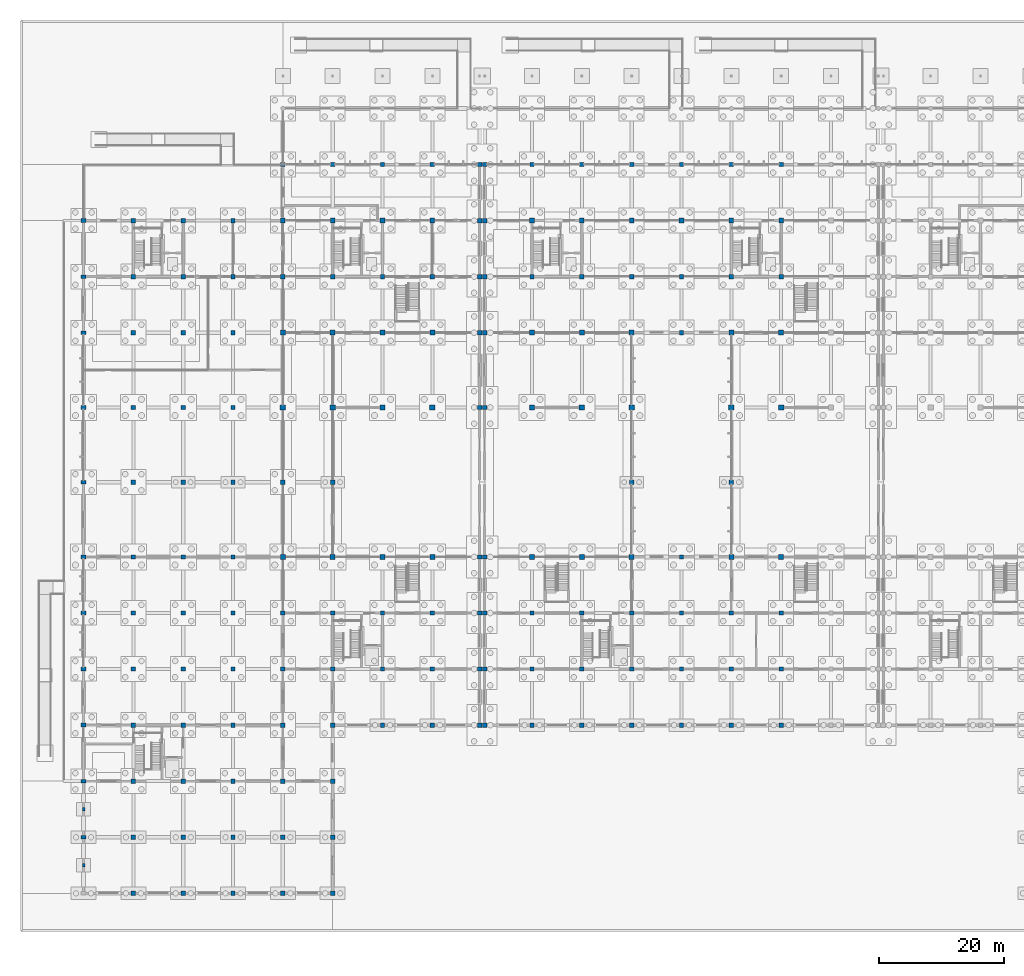
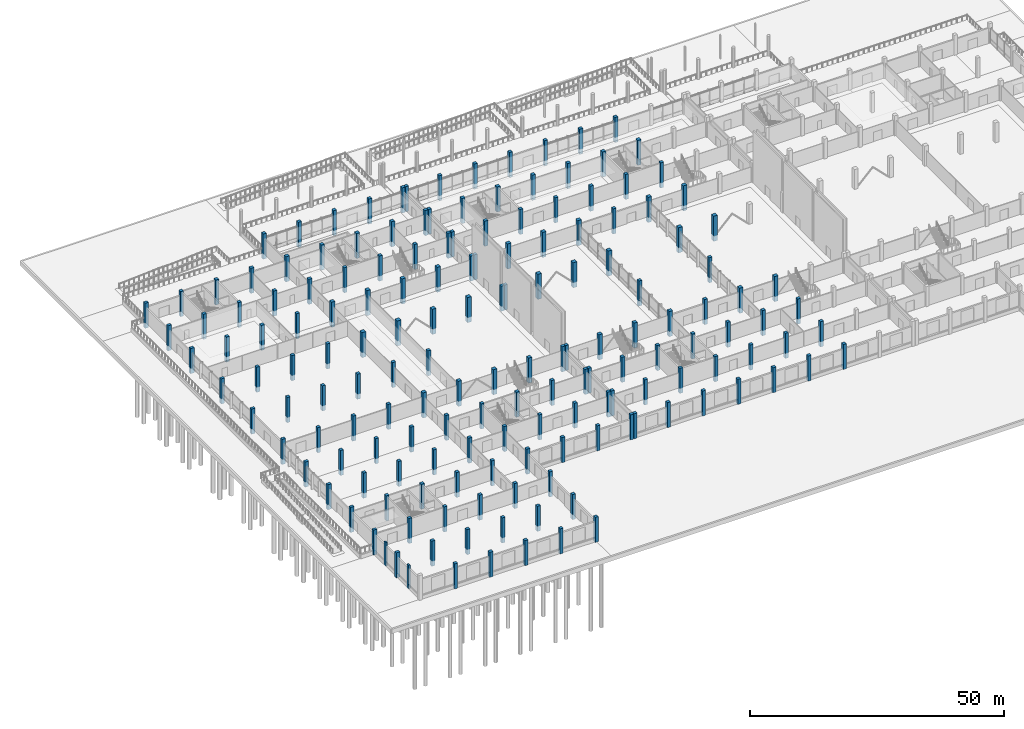
# One storey, part 13 of 72: 166 columns.
"""IFC4 building model written with IfcOpenShell, lengths in metres."""

from ifc_helpers import new_model, si_unit, direction, frame, origin, origin_2d, place, context, subcontext, project, spatial, rectangle, extrude, material, material_profile, profile_set, type_object, element, save


model = new_model("IFC4")

# Units and contexts
model_context = context("Model", 3, precision=1e-05, world=origin(), true_north=direction((0.0, 1.0)))
body_context = subcontext(model_context, "Body", "Model", "MODEL_VIEW")
ifc_project = project(units=[si_unit("LENGTHUNIT", "METRE"), si_unit("AREAUNIT", "SQUARE_METRE"), si_unit("VOLUMEUNIT", "CUBIC_METRE"), si_unit("PLANEANGLEUNIT", "RADIAN"), si_unit("MASSUNIT", "GRAM", prefix="KILO"), si_unit("THERMODYNAMICTEMPERATUREUNIT", "KELVIN"), si_unit("POWERUNIT", "WATT")], contexts=[model_context])

# Site, building, storey
site_placement = place(None, origin())
site = spatial("IfcSite", under=ifc_project, at=site_placement, CompositionType="ELEMENT")
building_placement = place(site_placement, origin())
building = spatial("IfcBuilding", under=site, at=building_placement, Name="Kronsvod Quay Wholesale Market", CompositionType="ELEMENT")
storey_placement = place(building_placement, origin())
storey = spatial("IfcBuildingStorey", under=building, at=storey_placement, Name="L00", CompositionType="ELEMENT", Elevation=0.0)

# Columns
ifc_material_1 = material(Name="Precast concrete C40/50", Category="concrete")
ifc_material_profile_1 = material_profile(ifc_material_1, rectangle(XDim=0.699951171875, YDim=0.699951171875, at=origin_2d()), Name="PCC700x700")
ifc_profile_set_1 = profile_set([ifc_material_profile_1], Name="Precast concrete C40/50")
column_type_1 = type_object("IfcColumnType", Name="Col_PCC700x700", PredefinedType="COLUMN", material=ifc_profile_set_1)
for number, where, z_axis, x_axis, name in (
    (1, (8.0, 0.0, -1.25), (0.0, 0.0, 1.0), (1.0, 0.0, 0.0), "COLG-L00-80-0"),
    (2, (8.0, 9.0, -1.25), (0.0, 0.0, 1.0), (1.0, 0.0, 0.0), "COLG-L00-80-90"),
    (3, (8.0, 18.0, -1.25), (0.0, 0.0, 1.0), (1.0, 0.0, 0.0), "COLG-L00-80-180"),
    (4, (8.0, 27.0, -1.25), (0.0, 0.0, 1.0), (1.0, 0.0, 0.0), "COLG-L00-80-270"),
    (5, (8.0, 36.0, -1.25), (0.0, 0.0, 1.0), (1.0, 0.0, 0.0), "COLG-L00-80-360"),
    (6, (8.0, 45.0, -1.25), (0.0, 0.0, 1.0), (1.0, 0.0, 0.0), "COLG-L00-80-450"),
    (7, (8.0, 54.0, -1.25), (0.0, 0.0, 1.0), (1.0, 0.0, 0.0), "COLG-L00-80-540"),
    (8, (8.0, 66.0, -1.25), (0.0, 0.0, 1.0), (1.0, 0.0, 0.0), "COLG-L00-80-660"),
    (9, (8.0, 78.0, -1.25), (0.0, 0.0, 1.0), (1.0, 0.0, 0.0), "COLG-L00-80-780"),
    (10, (8.0, 90.0, -1.25), (0.0, 0.0, 1.0), (1.0, 0.0, 0.0), "COLG-L00-80-900"),
    (11, (8.0, 99.0, -1.25), (0.0, 0.0, 1.0), (1.0, 0.0, 0.0), "COLG-L00-80-990"),
    (12, (8.0, 108.0, -1.25), (0.0, 0.0, 1.0), (1.0, 0.0, 0.0), "COLG-L00-80-1080"),
    (13, (16.0, 0.0, -1.25), (0.0, 0.0, 1.0), (1.0, 0.0, 0.0), "COLG-L00-160-0"),
    (14, (16.0, 9.0, -1.25), (0.0, 0.0, 1.0), (1.0, 0.0, 0.0), "COLG-L00-160-90"),
    (15, (16.0, 18.0, -1.25), (0.0, 0.0, 1.0), (1.0, 0.0, 0.0), "COLG-L00-160-180"),
    (16, (16.0, 27.0, -1.25), (0.0, 0.0, 1.0), (1.0, 0.0, 0.0), "COLG-L00-160-270"),
    (17, (16.0, 36.0, -1.25), (0.0, 0.0, 1.0), (1.0, 0.0, 0.0), "COLG-L00-160-360"),
    (18, (16.0, 45.0, -1.25), (0.0, 0.0, 1.0), (1.0, 0.0, 0.0), "COLG-L00-160-450"),
    (19, (16.0, 54.0, -1.25), (0.0, 0.0, 1.0), (1.0, 0.0, 0.0), "COLG-L00-160-540"),
    (20, (16.0, 66.0, -1.25), (0.0, 0.0, 1.0), (1.0, 0.0, 0.0), "COLG-L00-160-660"),
    (21, (16.0, 78.0, -1.25), (0.0, 0.0, 1.0), (1.0, 0.0, 0.0), "COLG-L00-160-780"),
    (22, (16.0, 90.0, -1.25), (0.0, 0.0, 1.0), (1.0, 0.0, 0.0), "COLG-L00-160-900"),
    (23, (16.0, 99.0, -1.25), (0.0, 0.0, 1.0), (1.0, 0.0, 0.0), "COLG-L00-160-990"),
    (24, (16.0, 108.0, -1.25), (0.0, 0.0, 1.0), (1.0, 0.0, 0.0), "COLG-L00-160-1080"),
    (25, (24.0, 0.0, -1.25), (0.0, 0.0, 1.0), (1.0, 0.0, 0.0), "COLG-L00-240-0"),
    (26, (24.0, 9.0, -1.25), (0.0, 0.0, 1.0), (1.0, 0.0, 0.0), "COLG-L00-240-90"),
    (27, (24.0, 18.0, -1.25), (0.0, 0.0, 1.0), (1.0, 0.0, 0.0), "COLG-L00-240-180"),
    (28, (24.0, 27.0, -1.25), (0.0, 0.0, 1.0), (1.0, 0.0, 0.0), "COLG-L00-240-270"),
    (29, (24.0, 36.0, -1.25), (0.0, 0.0, 1.0), (1.0, 0.0, 0.0), "COLG-L00-240-360"),
    (30, (24.0, 45.0, -1.25), (0.0, 0.0, 1.0), (1.0, 0.0, 0.0), "COLG-L00-240-450"),
    (31, (24.0, 54.0, -1.25), (0.0, 0.0, 1.0), (1.0, 0.0, 0.0), "COLG-L00-240-540"),
    (32, (24.0, 66.0, -1.25), (0.0, 0.0, 1.0), (1.0, 0.0, 0.0), "COLG-L00-240-660"),
    (33, (24.0, 78.0, -1.25), (0.0, 0.0, 1.0), (1.0, 0.0, 0.0), "COLG-L00-240-780"),
    (34, (24.0, 90.0, -1.25), (0.0, 0.0, 1.0), (1.0, 0.0, 0.0), "COLG-L00-240-900"),
    (35, (24.0, 99.0, -1.25), (0.0, 0.0, 1.0), (1.0, 0.0, 0.0), "COLG-L00-240-990"),
    (36, (24.0, 108.0, -1.25), (0.0, 0.0, 1.0), (1.0, 0.0, 0.0), "COLG-L00-240-1080"),
    (37, (32.0, 0.0, -1.25), (0.0, 0.0, 1.0), (1.0, 0.0, 0.0), "COLG-L00-320-0"),
    (38, (32.0, 9.0, -1.25), (0.0, 0.0, 1.0), (1.0, 0.0, 0.0), "COLG-L00-320-90"),
    (39, (32.0, 18.0, -1.25), (0.0, 0.0, 1.0), (1.0, 0.0, 0.0), "COLG-L00-320-180"),
    (40, (32.0, 27.0, -1.25), (0.0, 0.0, 1.0), (1.0, 0.0, 0.0), "COLG-L00-320-270"),
    (41, (32.0, 36.0, -1.25), (0.0, 0.0, 1.0), (1.0, 0.0, 0.0), "COLG-L00-320-360"),
    (42, (32.0, 45.0, -1.25), (0.0, 0.0, 1.0), (1.0, 0.0, 0.0), "COLG-L00-320-450"),
    (43, (32.0, 66.0, -1.25), (0.0, 0.0, 1.0), (1.0, 0.0, 0.0), "COLG-L00-320-660"),
    (44, (32.0, 99.0, -1.25), (0.0, 0.0, 1.0), (1.0, 0.0, 0.0), "COLG-L00-320-990"),
    (45, (32.0, 117.0, -1.25), (0.0, 0.0, 1.0), (1.0, 0.0, 0.0), "COLG-L00-320-1170"),
    (46, (40.0, 0.0, -1.25), (0.0, 0.0, 1.0), (1.0, 0.0, 0.0), "COLG-L00-400-0"),
    (47, (40.0, 9.0, -1.25), (0.0, 0.0, 1.0), (1.0, 0.0, 0.0), "COLG-L00-400-90"),
    (48, (40.0, 18.0, -1.25), (0.0, 0.0, 1.0), (1.0, 0.0, 0.0), "COLG-L00-400-180"),
    (49, (40.0, 27.0, -1.25), (0.0, 0.0, 1.0), (1.0, 0.0, 0.0), "COLG-L00-400-270"),
    (50, (40.0, 36.0, -1.25), (0.0, 0.0, 1.0), (1.0, 0.0, 0.0), "COLG-L00-400-360"),
    (51, (40.0, 45.0, -1.25), (0.0, 0.0, 1.0), (1.0, 0.0, 0.0), "COLG-L00-400-450"),
    (52, (40.0, 66.0, -1.25), (0.0, 0.0, 1.0), (1.0, 0.0, 0.0), "COLG-L00-400-660"),
    (53, (40.0, 99.0, -1.25), (0.0, 0.0, 1.0), (1.0, 0.0, 0.0), "COLG-L00-400-990"),
    (54, (40.0, 117.0, -1.25), (0.0, 0.0, 1.0), (1.0, 0.0, 0.0), "COLG-L00-400-1170"),
    (55, (48.0, 27.0, -1.25), (0.0, 0.0, 1.0), (1.0, 0.0, 0.0), "COLG-L00-480-270"),
    (56, (48.0, 36.0, -1.25), (0.0, 0.0, 1.0), (1.0, 0.0, 0.0), "COLG-L00-480-360"),
    (57, (48.0, 45.0, -1.25), (0.0, 0.0, 1.0), (1.0, 0.0, 0.0), "COLG-L00-480-450"),
    (58, (48.0, 99.0, -1.25), (0.0, 0.0, 1.0), (1.0, 0.0, 0.0), "COLG-L00-480-990"),
    (59, (48.0, 117.0, -1.25), (0.0, 0.0, 1.0), (1.0, 0.0, 0.0), "COLG-L00-480-1170"),
    (60, (56.0, 27.0, -1.25), (0.0, 0.0, 1.0), (1.0, 0.0, 0.0), "COLG-L00-560-270"),
    (61, (56.0, 36.0, -1.25), (0.0, 0.0, 1.0), (1.0, 0.0, 0.0), "COLG-L00-560-360"),
    (62, (56.0, 45.0, -1.25), (0.0, 0.0, 1.0), (1.0, 0.0, 0.0), "COLG-L00-560-450"),
    (63, (56.0, 99.0, -1.25), (0.0, 0.0, 1.0), (1.0, 0.0, 0.0), "COLG-L00-560-990"),
    (64, (56.0, 117.0, -1.25), (0.0, 0.0, 1.0), (1.0, 0.0, 0.0), "COLG-L00-560-1170"),
    (65, (63.60009765625, 27.0, -1.25), (0.0, 0.0, 1.0), (1.0, 0.0, 0.0), "COLG-L00-636-270"),
    (66, (63.60009765625, 36.0, -1.25), (0.0, 0.0, 1.0), (1.0, 0.0, 0.0), "COLG-L00-636-360"),
    (67, (63.60009765625, 45.0, -1.25), (0.0, 0.0, 1.0), (1.0, 0.0, 0.0), "COLG-L00-636-450"),
    (68, (63.60009765625, 54.0, -1.25), (0.0, 0.0, 1.0), (1.0, 0.0, 0.0), "COLG-L00-636-540"),
    (69, (63.60009765625, 78.0, -1.25), (0.0, 0.0, 1.0), (1.0, 0.0, 0.0), "COLG-L00-636-780"),
    (70, (63.60009765625, 90.0, -1.25), (0.0, 0.0, 1.0), (1.0, 0.0, 0.0), "COLG-L00-636-900"),
    (71, (63.60009765625, 99.0, -1.25), (0.0, 0.0, 1.0), (1.0, 0.0, 0.0), "COLG-L00-636-990"),
    (72, (63.60009765625, 108.0, -1.25), (0.0, 0.0, 1.0), (1.0, 0.0, 0.0), "COLG-L00-636-1080"),
    (73, (63.60009765625, 117.0, -1.25), (0.0, 0.0, 1.0), (1.0, 0.0, 0.0), "COLG-L00-636-1170"),
    (74, (64.39990234375, 27.0, -1.25), (0.0, 0.0, 1.0), (1.0, 0.0, 0.0), "COLG-L00-644-270"),
    (75, (64.39990234375, 36.0, -1.25), (0.0, 0.0, 1.0), (1.0, 0.0, 0.0), "COLG-L00-644-360"),
    (76, (64.39990234375, 45.0, -1.25), (0.0, 0.0, 1.0), (1.0, 0.0, 0.0), "COLG-L00-644-450"),
    (77, (64.39990234375, 54.0, -1.25), (0.0, 0.0, 1.0), (1.0, 0.0, 0.0), "COLG-L00-644-540"),
    (78, (64.39990234375, 78.0, -1.25), (0.0, 0.0, 1.0), (1.0, 0.0, 0.0), "COLG-L00-644-780"),
    (79, (64.39990234375, 90.0, -1.25), (0.0, 0.0, 1.0), (1.0, 0.0, 0.0), "COLG-L00-644-900"),
    (80, (64.39990234375, 99.0, -1.25), (0.0, 0.0, 1.0), (1.0, 0.0, 0.0), "COLG-L00-644-990"),
    (81, (64.39990234375, 108.0, -1.25), (0.0, 0.0, 1.0), (1.0, 0.0, 0.0), "COLG-L00-644-1080"),
    (82, (64.39990234375, 117.0, -1.25), (0.0, 0.0, 1.0), (1.0, 0.0, 0.0), "COLG-L00-644-1170"),
    (83, (72.0, 27.0, -1.25), (0.0, 0.0, 1.0), (1.0, 0.0, 0.0), "COLG-L00-720-270"),
    (84, (72.0, 36.0, -1.25), (0.0, 0.0, 1.0), (1.0, 0.0, 0.0), "COLG-L00-720-360"),
    (85, (72.0, 45.0, -1.25), (0.0, 0.0, 1.0), (1.0, 0.0, 0.0), "COLG-L00-720-450"),
    (86, (72.0, 99.0, -1.25), (0.0, 0.0, 1.0), (1.0, 0.0, 0.0), "COLG-L00-720-990"),
    (87, (72.0, 117.0, -1.25), (0.0, 0.0, 1.0), (1.0, 0.0, 0.0), "COLG-L00-720-1170"),
    (88, (80.0, 27.0, -1.25), (0.0, 0.0, 1.0), (1.0, 0.0, 0.0), "COLG-L00-800-270"),
    (89, (80.0, 36.0, -1.25), (0.0, 0.0, 1.0), (1.0, 0.0, 0.0), "COLG-L00-800-360"),
    (90, (80.0, 45.0, -1.25), (0.0, 0.0, 1.0), (1.0, 0.0, 0.0), "COLG-L00-800-450"),
    (91, (80.0, 99.0, -1.25), (0.0, 0.0, 1.0), (1.0, 0.0, 0.0), "COLG-L00-800-990"),
    (92, (80.0, 117.0, -1.25), (0.0, 0.0, 1.0), (1.0, 0.0, 0.0), "COLG-L00-800-1170"),
    (93, (88.0, 27.0, -1.25), (0.0, 0.0, 1.0), (1.0, 0.0, 0.0), "COLG-L00-880-270"),
    (94, (88.0, 36.0, -1.25), (0.0, 0.0, 1.0), (1.0, 0.0, 0.0), "COLG-L00-880-360"),
    (95, (88.0, 45.0, -1.25), (0.0, 0.0, 1.0), (1.0, 0.0, 0.0), "COLG-L00-880-450"),
    (96, (88.0, 66.0, -1.25), (0.0, 0.0, 1.0), (1.0, 0.0, 0.0), "COLG-L00-880-660"),
    (97, (88.0, 99.0, -1.25), (0.0, 0.0, 1.0), (1.0, 0.0, 0.0), "COLG-L00-880-990"),
    (98, (88.0, 117.0, -1.25), (0.0, 0.0, 1.0), (1.0, 0.0, 0.0), "COLG-L00-880-1170"),
    (99, (96.0, 27.0, -1.25), (0.0, 0.0, 1.0), (1.0, 0.0, 0.0), "COLG-L00-960-270"),
    (100, (96.0, 36.0, -1.25), (0.0, 0.0, 1.0), (1.0, 0.0, 0.0), "COLG-L00-960-360"),
    (101, (96.0, 45.0, -1.25), (0.0, 0.0, 1.0), (1.0, 0.0, 0.0), "COLG-L00-960-450"),
    (102, (96.0, 54.0, -1.25), (0.0, 0.0, 1.0), (1.0, 0.0, 0.0), "COLG-L00-960-540"),
    (103, (96.0, 90.0, -1.25), (0.0, 0.0, 1.0), (1.0, 0.0, 0.0), "COLG-L00-960-900"),
    (104, (96.0, 99.0, -1.25), (0.0, 0.0, 1.0), (1.0, 0.0, 0.0), "COLG-L00-960-990"),
    (105, (96.0, 117.0, -1.25), (0.0, 0.0, 1.0), (1.0, 0.0, 0.0), "COLG-L00-960-1170"),
    (106, (104.0, 27.0, -1.25), (0.0, 0.0, 1.0), (1.0, 0.0, 0.0), "COLG-L00-1040-270"),
    (107, (104.0, 36.0, -1.25), (0.0, 0.0, 1.0), (1.0, 0.0, 0.0), "COLG-L00-1040-360"),
    (108, (104.0, 45.0, -1.25), (0.0, 0.0, 1.0), (1.0, 0.0, 0.0), "COLG-L00-1040-450"),
    (109, (104.0, 66.0, -1.25), (0.0, 0.0, 1.0), (1.0, 0.0, 0.0), "COLG-L00-1040-660"),
    (110, (104.0, 99.0, -1.25), (0.0, 0.0, 1.0), (1.0, 0.0, 0.0), "COLG-L00-1040-990"),
    (111, (104.0, 117.0, -1.25), (0.0, 0.0, 1.0), (1.0, 0.0, 0.0), "COLG-L00-1040-1170"),
    (112, (112.0, 27.0, -1.25), (0.0, 0.0, 1.0), (1.0, 0.0, 0.0), "COLG-L00-1120-270"),
    (113, (112.0, 36.0, -1.25), (0.0, 0.0, 1.0), (1.0, 0.0, 0.0), "COLG-L00-1120-360"),
    (114, (112.0, 45.0, -1.25), (0.0, 0.0, 1.0), (1.0, 0.0, 0.0), "COLG-L00-1120-450"),
    (115, (112.0, 99.0, -1.25), (0.0, 0.0, 1.0), (1.0, 0.0, 0.0), "COLG-L00-1120-990"),
    (116, (112.0, 117.0, -1.25), (0.0, 0.0, 1.0), (1.0, 0.0, 0.0), "COLG-L00-1120-1170"),
):
    element("IfcColumn", number, at=place(storey_placement, frame(where, z_axis=z_axis, x_axis=x_axis)), inside=storey, type_object=column_type_1, Name=name, PredefinedType="COLUMN", context=body_context, shape_type="SweptSolid", body=[
        extrude(rectangle(XDim=0.699951171875, YDim=0.699951171875, at=origin_2d()), origin(), (0.0, 0.0, 1.0), 6.050048828125),
    ])
ifc_material_2 = material(Name="Precast concrete C40/50", Category="concrete")
ifc_material_profile_2 = material_profile(ifc_material_2, rectangle(XDim=0.75, YDim=0.75, at=origin_2d()), Name="COL-07")
ifc_profile_set_2 = profile_set([ifc_material_profile_2], Name="Precast concrete C40/50")
column_type_2 = type_object("IfcColumnType", Name="Col_PCC750x750", PredefinedType="COLUMN", material=ifc_profile_set_2)
for number, where, z_axis, x_axis, name in (
    (117, (32.0, 108.0, -1.25), (0.0, 0.0, 1.0), (1.0, 0.0, 0.0), "COLG-L00-320-1080"),
    (118, (40.0, 108.0, -1.25), (0.0, 0.0, 1.0), (1.0, 0.0, 0.0), "COLG-L00-400-1080"),
    (119, (48.0, 108.0, -1.25), (0.0, 0.0, 1.0), (1.0, 0.0, 0.0), "COLG-L00-480-1080"),
    (120, (56.0, 108.0, -1.25), (0.0, 0.0, 1.0), (1.0, 0.0, 0.0), "COLG-L00-560-1080"),
    (121, (72.0, 108.0, -1.25), (0.0, 0.0, 1.0), (1.0, 0.0, 0.0), "COLG-L00-720-1080"),
    (122, (80.0, 108.0, -1.25), (0.0, 0.0, 1.0), (1.0, 0.0, 0.0), "COLG-L00-800-1080"),
    (123, (88.0, 108.0, -1.25), (0.0, 0.0, 1.0), (1.0, 0.0, 0.0), "COLG-L00-880-1080"),
    (124, (96.0, 108.0, -1.25), (0.0, 0.0, 1.0), (1.0, 0.0, 0.0), "COLG-L00-960-1080"),
    (125, (104.0, 108.0, -1.25), (0.0, 0.0, 1.0), (1.0, 0.0, 0.0), "COLG-L00-1040-1080"),
    (126, (112.0, 108.0, -1.25), (0.0, 0.0, 1.0), (1.0, 0.0, 0.0), "COLG-L00-1120-1080"),
):
    element("IfcColumn", number, at=place(storey_placement, frame(where, z_axis=z_axis, x_axis=x_axis)), inside=storey, type_object=column_type_2, Name=name, PredefinedType="COLUMN", context=body_context, shape_type="SweptSolid", body=[
        extrude(rectangle(XDim=0.75, YDim=0.75, at=origin_2d()), origin(), (0.0, 0.0, 1.0), 6.050048828125),
    ])
ifc_material_3 = material(Name="Precast concrete C40/50", Category="concrete")
ifc_material_profile_3 = material_profile(ifc_material_3, rectangle(XDim=0.800048828125, YDim=0.60009765625, at=origin_2d()), Name="PCC800x600")
ifc_profile_set_3 = profile_set([ifc_material_profile_3], Name="Precast concrete C40/50")
column_type_3 = type_object("IfcColumnType", Name="Col_PCC800x600", PredefinedType="COLUMN", material=ifc_profile_set_3)
for number, where, z_axis, x_axis, name in (
    (127, (0.0, 54.0, -1.25), (0.0, 0.0, 1.0), (1.0, 0.0, 0.0), "COLG-L00-0-540"),
    (128, (0.0, 66.0, -1.25), (0.0, 0.0, 1.0), (1.0, 0.0, 0.0), "COLG-L00-0-660"),
    (129, (0.0, 78.0, -1.25), (0.0, 0.0, 1.0), (1.0, 0.0, 0.0), "COLG-L00-0-780"),
    (130, (0.0, 90.0, -1.25), (0.0, 0.0, 1.0), (1.0, 0.0, 0.0), "COLG-L00-0-900"),
    (131, (0.0, 99.0, -1.25), (0.0, 0.0, 1.0), (1.0, 0.0, 0.0), "COLG-L00-0-990"),
    (132, (0.0, 108.0, -1.25), (0.0, 0.0, 1.0), (1.0, 0.0, 0.0), "COLG-L00-0-1080"),
):
    element("IfcColumn", number, at=place(storey_placement, frame(where, z_axis=z_axis, x_axis=x_axis)), inside=storey, type_object=column_type_3, Name=name, PredefinedType="COLUMN", context=body_context, shape_type="SweptSolid", body=[
        extrude(rectangle(XDim=0.800048828125, YDim=0.60009765625, at=origin_2d()), origin(), (0.0, 0.0, 1.0), 6.050048828125),
    ])
ifc_material_4 = material(Name="Precast concrete C40/50", Category="concrete")
ifc_material_profile_4 = material_profile(ifc_material_4, rectangle(XDim=0.800048828125, YDim=0.800048828125, at=origin_2d()), Name="PCC800x800")
ifc_profile_set_4 = profile_set([ifc_material_profile_4], Name="Precast concrete C40/50")
column_type_4 = type_object("IfcColumnType", Name="Col_PCC800x800", PredefinedType="COLUMN", material=ifc_profile_set_4)
for number, where, z_axis, x_axis, name in (
    (133, (32.0, 54.0, -1.25), (0.0, 0.0, 1.0), (1.0, 0.0, 0.0), "COLG-L00-320-540"),
    (134, (32.0, 90.0, -1.25), (0.0, 0.0, 1.0), (1.0, 0.0, 0.0), "COLG-L00-320-900"),
    (135, (40.0, 54.0, -1.25), (0.0, 0.0, 1.0), (1.0, 0.0, 0.0), "COLG-L00-400-540"),
    (136, (40.0, 90.0, -1.25), (0.0, 0.0, 1.0), (1.0, 0.0, 0.0), "COLG-L00-400-900"),
    (137, (48.0, 54.0, -1.25), (0.0, 0.0, 1.0), (1.0, 0.0, 0.0), "COLG-L00-480-540"),
    (138, (48.0, 90.0, -1.25), (0.0, 0.0, 1.0), (1.0, 0.0, 0.0), "COLG-L00-480-900"),
    (139, (56.0, 54.0, -1.25), (0.0, 0.0, 1.0), (1.0, 0.0, 0.0), "COLG-L00-560-540"),
    (140, (56.0, 90.0, -1.25), (0.0, 0.0, 1.0), (1.0, 0.0, 0.0), "COLG-L00-560-900"),
    (141, (72.0, 54.0, -1.25), (0.0, 0.0, 1.0), (1.0, 0.0, 0.0), "COLG-L00-720-540"),
    (142, (72.0, 90.0, -1.25), (0.0, 0.0, 1.0), (1.0, 0.0, 0.0), "COLG-L00-720-900"),
    (143, (80.0, 54.0, -1.25), (0.0, 0.0, 1.0), (1.0, 0.0, 0.0), "COLG-L00-800-540"),
    (144, (80.0, 90.0, -1.25), (0.0, 0.0, 1.0), (1.0, 0.0, 0.0), "COLG-L00-800-900"),
    (145, (88.0, 54.0, -1.25), (0.0, 0.0, 1.0), (1.0, 0.0, 0.0), "COLG-L00-880-540"),
    (146, (88.0, 90.0, -1.25), (0.0, 0.0, 1.0), (1.0, 0.0, 0.0), "COLG-L00-880-900"),
    (147, (104.0, 54.0, -1.25), (0.0, 0.0, 1.0), (1.0, 0.0, 0.0), "COLG-L00-1040-540"),
    (148, (104.0, 90.0, -1.25), (0.0, 0.0, 1.0), (1.0, 0.0, 0.0), "COLG-L00-1040-900"),
    (149, (112.0, 54.0, -1.25), (0.0, 0.0, 1.0), (1.0, 0.0, 0.0), "COLG-L00-1120-540"),
    (150, (112.0, 90.0, -1.25), (0.0, 0.0, 1.0), (1.0, 0.0, 0.0), "COLG-L00-1120-900"),
):
    element("IfcColumn", number, at=place(storey_placement, frame(where, z_axis=z_axis, x_axis=x_axis)), inside=storey, type_object=column_type_4, Name=name, PredefinedType="COLUMN", context=body_context, shape_type="SweptSolid", body=[
        extrude(rectangle(XDim=0.800048828125, YDim=0.800048828125, at=origin_2d()), origin(), (0.0, 0.0, 1.0), 6.050048828125),
    ])
ifc_material_5 = material(Name="Precast concrete C40/50", Category="concrete")
ifc_material_profile_5 = material_profile(ifc_material_5, rectangle(XDim=0.820068359375, YDim=0.6201171875, at=origin_2d()), Name="COL-10")
ifc_profile_set_5 = profile_set([ifc_material_profile_5], Name="Precast concrete C40/50")
column_type_5 = type_object("IfcColumnType", Name="Col_PCC820x620", PredefinedType="COLUMN", material=ifc_profile_set_5)
for number, where, z_axis, x_axis, name in (
    (151, (0.0, 9.0, -1.25), (0.0, 0.0, 1.0), (1.0, 0.0, 0.0), "COLG-L00-0-90"),
    (152, (0.0, 18.0, -1.25), (0.0, 0.0, 1.0), (1.0, 0.0, 0.0), "COLG-L00-0-180"),
    (153, (0.0, 27.0, -1.25), (0.0, 0.0, 1.0), (1.0, 0.0, 0.0), "COLG-L00-0-270"),
    (154, (0.0, 36.0, -1.25), (0.0, 0.0, 1.0), (1.0, 0.0, 0.0), "COLG-L00-0-360"),
    (155, (0.0, 45.0, -1.25), (0.0, 0.0, 1.0), (1.0, 0.0, 0.0), "COLG-L00-0-450"),
):
    element("IfcColumn", number, at=place(storey_placement, frame(where, z_axis=z_axis, x_axis=x_axis)), inside=storey, type_object=column_type_5, Name=name, PredefinedType="COLUMN", context=body_context, shape_type="SweptSolid", body=[
        extrude(rectangle(XDim=0.820068359375, YDim=0.6201171875, at=origin_2d()), origin(), (0.0, 0.0, 1.0), 6.050048828125),
    ])
ifc_material_6 = material(Name="Precast concrete C40/50", Category="concrete")
ifc_material_profile_6 = material_profile(ifc_material_6, rectangle(XDim=0.85009765625, YDim=0.85009765625, at=origin_2d()), Name="COL-06")
ifc_profile_set_6 = profile_set([ifc_material_profile_6], Name="Precast concrete C40/50")
column_type_6 = type_object("IfcColumnType", Name="Col_PCC850x850", PredefinedType="COLUMN", material=ifc_profile_set_6)
for number, where, z_axis, x_axis, name in (
    (156, (32.0, 78.0, -1.25), (0.0, 0.0, 1.0), (1.0, 0.0, 0.0), "COLG-L00-320-780"),
    (157, (40.0, 78.0, -1.25), (0.0, 0.0, 1.0), (1.0, 0.0, 0.0), "COLG-L00-400-780"),
    (158, (48.0, 78.0, -1.25), (0.0, 0.0, 1.0), (1.0, 0.0, 0.0), "COLG-L00-480-780"),
    (159, (56.0, 78.0, -1.25), (0.0, 0.0, 1.0), (1.0, 0.0, 0.0), "COLG-L00-560-780"),
    (160, (72.0, 78.0, -1.25), (0.0, 0.0, 1.0), (1.0, 0.0, 0.0), "COLG-L00-720-780"),
    (161, (80.0, 78.0, -1.25), (0.0, 0.0, 1.0), (1.0, 0.0, 0.0), "COLG-L00-800-780"),
    (162, (88.0, 78.0, -1.25), (0.0, 0.0, 1.0), (1.0, 0.0, 0.0), "COLG-L00-880-780"),
    (163, (104.0, 78.0, -1.25), (0.0, 0.0, 1.0), (1.0, 0.0, 0.0), "COLG-L00-1040-780"),
    (164, (112.0, 78.0, -1.25), (0.0, 0.0, 1.0), (1.0, 0.0, 0.0), "COLG-L00-1120-780"),
):
    element("IfcColumn", number, at=place(storey_placement, frame(where, z_axis=z_axis, x_axis=x_axis)), inside=storey, type_object=column_type_6, Name=name, PredefinedType="COLUMN", context=body_context, shape_type="SweptSolid", body=[
        extrude(rectangle(XDim=0.85009765625, YDim=0.85009765625, at=origin_2d()), origin(), (0.0, 0.0, 1.0), 6.050048828125),
    ])
ifc_material_7 = material(Name="Precast concrete C40/50", Category="concrete")
ifc_material_profile_7 = material_profile(ifc_material_7, rectangle(XDim=0.39990234375, YDim=0.60009765625, at=origin_2d()), Name="PCPIL400x600")
ifc_profile_set_7 = profile_set([ifc_material_profile_7], Name="Precast concrete C40/50")
column_type_7 = type_object("IfcColumnType", Name="Col_Pilaster400x600", PredefinedType="PILASTER", material=ifc_profile_set_7)
for number, where, z_axis, x_axis, name in (
    (165, (0.0, 4.5, -1.25), (0.0, 0.0, 1.0), (1.0, 0.0, 0.0), "PIL-W-01"),
    (166, (0.0, 13.5, -1.25), (0.0, 0.0, 1.0), (1.0, 0.0, 0.0), "PIL-W-02"),
):
    element("IfcColumn", number, at=place(storey_placement, frame(where, z_axis=z_axis, x_axis=x_axis)), inside=storey, type_object=column_type_7, Name=name, PredefinedType="PILASTER", context=body_context, shape_type="SweptSolid", body=[
        extrude(rectangle(XDim=0.39990234375, YDim=0.60009765625, at=origin_2d()), origin(), (0.0, 0.0, 1.0), 5.699951171875),
    ])

save(model, "model.ifc")
